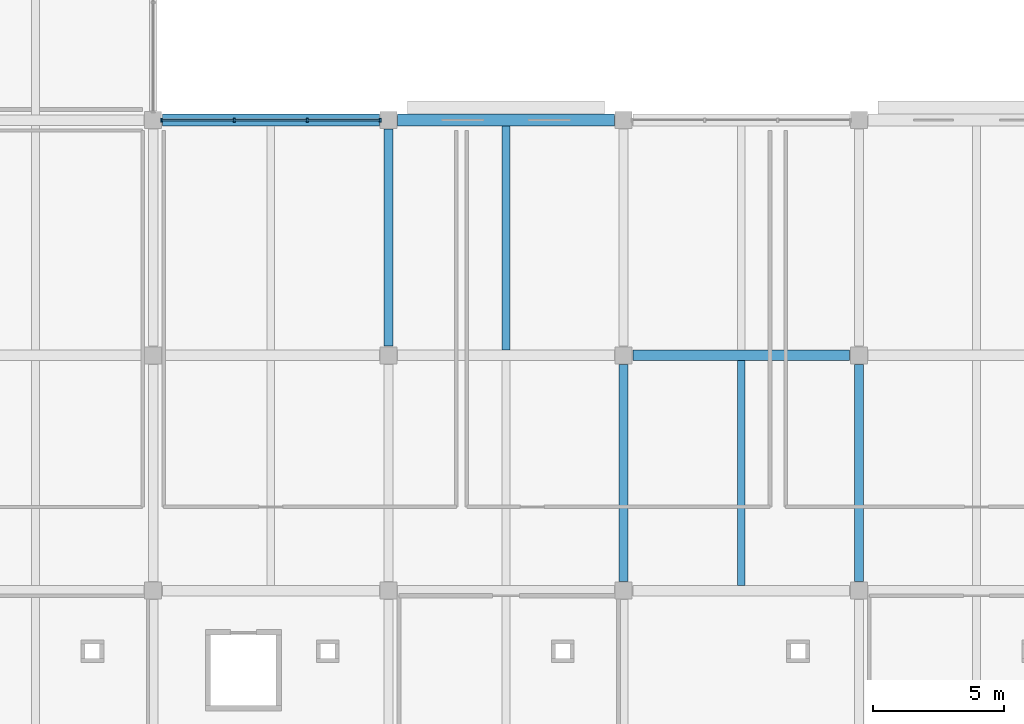
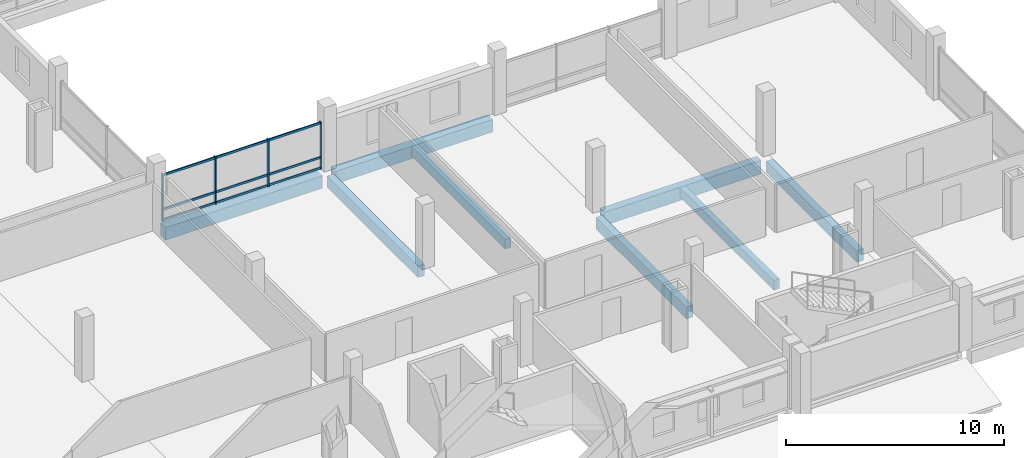
# One storey, part 41 of 132: 13 members, 8 beams, 1 element without a shape of its own.
"""IFC4 building model written with IfcOpenShell, lengths in metres."""

from ifc_helpers import new_model, si_unit, direction, frame, origin, origin_2d, place, context, subcontext, project, spatial, rectangle, extrude, material, material_profile, profile_set, type_object, element, aggregate, save


model = new_model("IFC4")

# Units and contexts
model_context = context("Model", 3, precision=1e-05, world=origin(), true_north=direction((0.0, 1.0)))
body_context = subcontext(model_context, "Body", "Model", "MODEL_VIEW")
ifc_project = project(units=[si_unit("LENGTHUNIT", "METRE"), si_unit("AREAUNIT", "SQUARE_METRE"), si_unit("VOLUMEUNIT", "CUBIC_METRE"), si_unit("PLANEANGLEUNIT", "RADIAN"), si_unit("MASSUNIT", "GRAM", prefix="KILO")], contexts=[model_context])

# Site, building, storey
site_placement = place(None, origin())
site = spatial("IfcSite", under=ifc_project, at=site_placement, CompositionType="ELEMENT")
building_placement = place(site_placement, origin())
building = spatial("IfcBuilding", under=site, at=building_placement, Name="Tharagai Park Tramway Depot", CompositionType="ELEMENT")
storey_placement = place(building_placement, frame((0.0, 0.0, 4.800048828125)))
storey = spatial("IfcBuildingStorey", under=building, at=storey_placement, Name="L01", CompositionType="ELEMENT", Elevation=4.800048828125)

# Beams
ifc_material_1 = material(Name="Concrete M35", Category="concrete")
ifc_material_profile_1 = material_profile(ifc_material_1, rectangle(XDim=0.35009765625, YDim=0.64990234375, at=origin_2d()), Name="RC 350x650")
ifc_profile_set_1 = profile_set([ifc_material_profile_1], Name="Concrete M35")
beam_type_1 = type_object("IfcBeamType", Name="BM-13", PredefinedType="BEAM", material=ifc_profile_set_1)
for number, where, z_axis, x_axis, name in (
    (1, (72.0, 18.35009765625, -0.574951171875), (0.0, 1.0, 0.0), (-1.0, 0.0, 0.0), "L01 Grid Beam BM-13"),
    (2, (81.0, 9.35009765625, -0.574951171875), (0.0, 1.0, 0.0), (-1.0, 0.0, 0.0), "L01 Grid Beam BM-13"),
    (3, (90.0, 9.35009765625, -0.574951171875), (0.0, 1.0, 0.0), (-1.0, 0.0, 0.0), "L01 Grid Beam BM-13"),
):
    element("IfcBeam", number, at=place(storey_placement, frame(where, z_axis=z_axis, x_axis=x_axis)), inside=storey, type_object=beam_type_1, Name=name, PredefinedType="BEAM", context=body_context, shape_type="SweptSolid", body=[
        extrude(rectangle(XDim=0.35009765625, YDim=0.64990234375, at=origin_2d()), origin(), (0.0, 0.0, 1.0), 8.2998046875),
    ])
ifc_material_profile_2 = material_profile(ifc_material_1, rectangle(XDim=0.39990234375, YDim=0.75, at=origin_2d()), Name="RC 400x750")
ifc_profile_set_2 = profile_set([ifc_material_profile_2], Name="Concrete M35")
beam_type_2 = type_object("IfcBeamType", Name="BM-19", PredefinedType="BEAM", material=ifc_profile_set_2)
beam_1_placement = place(storey_placement, frame((81.35009765625, 18.0, -0.625), z_axis=(1.0, 0.0, 0.0), x_axis=(0.0, 1.0, 0.0)))
element("IfcBeam", 4, at=beam_1_placement, inside=storey, type_object=beam_type_2, Name="L01 Grid Beam BM-19", PredefinedType="BEAM", context=body_context, shape_type="SweptSolid", body=[
    extrude(rectangle(XDim=0.39990234375, YDim=0.75, at=origin_2d()), origin(), (0.0, 0.0, 1.0), 8.2998046875),
])

# Curtain wall, members
ifc_material_2 = material(Name="Anodised aluminium", Category="aluminium")
curtain_wall_type = type_object("IfcCurtainWallType", Name="CW-01", PredefinedType="NOTDEFINED", material=ifc_material_2)
curtain_wall_placement = place(storey_placement, origin())
curtain_wall = element("IfcCurtainWall", 5, at=curtain_wall_placement, inside=storey, type_object=curtain_wall_type, Name="L01 V4 Gothic Mullioned Curtain Wall CW-01", PredefinedType="NOTDEFINED")
ifc_material_profile_3 = material_profile(ifc_material_2, rectangle(XDim=0.06494140625, YDim=0.1201171875, at=origin_2d()), Name="ALU 65x120")
ifc_profile_set_3 = profile_set([ifc_material_profile_3], Name="Anodised aluminium")
member_type_1 = type_object("IfcMemberType", Name="CM-01", PredefinedType="USERDEFINED", material=ifc_profile_set_3)
member_1_placement = place(storey_placement, frame((63.330078125, 27.0, 0.06005859375), z_axis=(1.0, 0.0, 0.0), x_axis=(0.0, 1.0, 0.0)))
member_1 = element("IfcMember", 6, at=member_1_placement, type_object=member_type_1, Name="L01 V4 Gothic Mullioned Curtain Wall Transom 1.1", ObjectType="TRANSOM", PredefinedType="USERDEFINED", context=body_context, shape_type="SweptSolid", body=[
    extrude(rectangle(XDim=0.06494140625, YDim=0.1201171875, at=origin_2d()), origin(), (0.0, 0.0, 1.0), 2.760009765625),
])
member_2_placement = place(storey_placement, frame((63.330078125, 27.0, 0.64990234375), z_axis=(1.0, 0.0, 0.0), x_axis=(0.0, 1.0, 0.0)))
member_2 = element("IfcMember", 7, at=member_2_placement, type_object=member_type_1, Name="L01 V4 Gothic Mullioned Curtain Wall Transom 1.2", ObjectType="TRANSOM", PredefinedType="USERDEFINED", context=body_context, shape_type="SweptSolid", body=[
    extrude(rectangle(XDim=0.06494140625, YDim=0.1201171875, at=origin_2d()), origin(), (0.0, 0.0, 1.0), 2.760009765625),
])
member_3_placement = place(storey_placement, frame((63.330078125, 27.0, 2.570068359375), z_axis=(1.0, 0.0, 0.0), x_axis=(0.0, 1.0, 0.0)))
member_3 = element("IfcMember", 8, at=member_3_placement, type_object=member_type_1, Name="L01 V4 Gothic Mullioned Curtain Wall Transom 1.3", ObjectType="TRANSOM", PredefinedType="USERDEFINED", context=body_context, shape_type="SweptSolid", body=[
    extrude(rectangle(XDim=0.06494140625, YDim=0.1201171875, at=origin_2d()), origin(), (0.0, 0.0, 1.0), 2.760009765625),
])
member_4_placement = place(storey_placement, frame((66.1201171875, 27.0, 0.06005859375), z_axis=(1.0, 0.0, 0.0), x_axis=(0.0, 1.0, 0.0)))
member_4 = element("IfcMember", 9, at=member_4_placement, type_object=member_type_1, Name="L01 V4 Gothic Mullioned Curtain Wall Transom 2.1", ObjectType="TRANSOM", PredefinedType="USERDEFINED", context=body_context, shape_type="SweptSolid", body=[
    extrude(rectangle(XDim=0.06494140625, YDim=0.1201171875, at=origin_2d()), origin(), (0.0, 0.0, 1.0), 2.759765625),
])
member_5_placement = place(storey_placement, frame((66.1201171875, 27.0, 0.64990234375), z_axis=(1.0, 0.0, 0.0), x_axis=(0.0, 1.0, 0.0)))
member_5 = element("IfcMember", 10, at=member_5_placement, type_object=member_type_1, Name="L01 V4 Gothic Mullioned Curtain Wall Transom 2.2", ObjectType="TRANSOM", PredefinedType="USERDEFINED", context=body_context, shape_type="SweptSolid", body=[
    extrude(rectangle(XDim=0.06494140625, YDim=0.1201171875, at=origin_2d()), origin(), (0.0, 0.0, 1.0), 2.759765625),
])
member_6_placement = place(storey_placement, frame((66.1201171875, 27.0, 2.570068359375), z_axis=(1.0, 0.0, 0.0), x_axis=(0.0, 1.0, 0.0)))
member_6 = element("IfcMember", 11, at=member_6_placement, type_object=member_type_1, Name="L01 V4 Gothic Mullioned Curtain Wall Transom 2.3", ObjectType="TRANSOM", PredefinedType="USERDEFINED", context=body_context, shape_type="SweptSolid", body=[
    extrude(rectangle(XDim=0.06494140625, YDim=0.1201171875, at=origin_2d()), origin(), (0.0, 0.0, 1.0), 2.759765625),
])
member_7_placement = place(storey_placement, frame((68.909912109375, 27.0, 0.06005859375), z_axis=(1.0, 0.0, 0.0), x_axis=(0.0, 1.0, 0.0)))
member_7 = element("IfcMember", 12, at=member_7_placement, type_object=member_type_1, Name="L01 V4 Gothic Mullioned Curtain Wall Transom 3.1", ObjectType="TRANSOM", PredefinedType="USERDEFINED", context=body_context, shape_type="SweptSolid", body=[
    extrude(rectangle(XDim=0.06494140625, YDim=0.1201171875, at=origin_2d()), origin(), (0.0, 0.0, 1.0), 2.760009765625),
])
member_8_placement = place(storey_placement, frame((68.909912109375, 27.0, 0.64990234375), z_axis=(1.0, 0.0, 0.0), x_axis=(0.0, 1.0, 0.0)))
member_8 = element("IfcMember", 13, at=member_8_placement, type_object=member_type_1, Name="L01 V4 Gothic Mullioned Curtain Wall Transom 3.2", ObjectType="TRANSOM", PredefinedType="USERDEFINED", context=body_context, shape_type="SweptSolid", body=[
    extrude(rectangle(XDim=0.06494140625, YDim=0.1201171875, at=origin_2d()), origin(), (0.0, 0.0, 1.0), 2.760009765625),
])
member_9_placement = place(storey_placement, frame((68.909912109375, 27.0, 2.570068359375), z_axis=(1.0, 0.0, 0.0), x_axis=(0.0, 1.0, 0.0)))
member_9 = element("IfcMember", 14, at=member_9_placement, type_object=member_type_1, Name="L01 V4 Gothic Mullioned Curtain Wall Transom 3.3", ObjectType="TRANSOM", PredefinedType="USERDEFINED", context=body_context, shape_type="SweptSolid", body=[
    extrude(rectangle(XDim=0.06494140625, YDim=0.1201171875, at=origin_2d()), origin(), (0.0, 0.0, 1.0), 2.760009765625),
])
ifc_material_profile_4 = material_profile(ifc_material_2, rectangle(XDim=0.06494140625, YDim=0.14990234375, at=origin_2d()), Name="ALU 65x150")
ifc_profile_set_4 = profile_set([ifc_material_profile_4], Name="Anodised aluminium")
member_type_2 = type_object("IfcMemberType", Name="CM-03", PredefinedType="MULLION", material=ifc_profile_set_4)
member_10_placement = place(storey_placement, frame((63.31494140625, 27.0, -0.005126953125), z_axis=(0.0, 0.0, 1.0), x_axis=(1.0, 0.0, 0.0)))
member_10 = element("IfcMember", 15, at=member_10_placement, type_object=member_type_2, Name="L01 V4 Gothic Mullioned Curtain Wall Mullion 1", PredefinedType="MULLION", context=body_context, shape_type="SweptSolid", body=[
    extrude(rectangle(XDim=0.06494140625, YDim=0.14990234375, at=origin_2d()), origin(), (0.0, 0.0, 1.0), 2.66015625),
])
member_11_placement = place(storey_placement, frame((66.10498046875, 27.0, -0.005126953125), z_axis=(0.0, 0.0, 1.0), x_axis=(1.0, 0.0, 0.0)))
member_11 = element("IfcMember", 16, at=member_11_placement, type_object=member_type_2, Name="L01 V4 Gothic Mullioned Curtain Wall Mullion 2", PredefinedType="MULLION", context=body_context, shape_type="SweptSolid", body=[
    extrude(rectangle(XDim=0.06494140625, YDim=0.14990234375, at=origin_2d()), origin(), (0.0, 0.0, 1.0), 2.66015625),
])
member_12_placement = place(storey_placement, frame((68.89501953125, 27.0, -0.005126953125), z_axis=(0.0, 0.0, 1.0), x_axis=(1.0, 0.0, 0.0)))
member_12 = element("IfcMember", 17, at=member_12_placement, type_object=member_type_2, Name="L01 V4 Gothic Mullioned Curtain Wall Mullion 3", PredefinedType="MULLION", context=body_context, shape_type="SweptSolid", body=[
    extrude(rectangle(XDim=0.06494140625, YDim=0.14990234375, at=origin_2d()), origin(), (0.0, 0.0, 1.0), 2.66015625),
])
member_13_placement = place(storey_placement, frame((71.68505859375, 27.0, -0.005126953125), z_axis=(0.0, 0.0, 1.0), x_axis=(1.0, 0.0, 0.0)))
member_13 = element("IfcMember", 18, at=member_13_placement, type_object=member_type_2, Name="L01 V4 Gothic Mullioned Curtain Wall Mullion 4", PredefinedType="MULLION", context=body_context, shape_type="SweptSolid", body=[
    extrude(rectangle(XDim=0.06494140625, YDim=0.14990234375, at=origin_2d()), origin(), (0.0, 0.0, 1.0), 2.66015625),
])
aggregate(curtain_wall, [member_10, member_11, member_12, member_13, member_1, member_2, member_3, member_4, member_5, member_6, member_7, member_8, member_9])

# Beams
ifc_material_profile_5 = material_profile(ifc_material_1, rectangle(XDim=0.300048828125, YDim=0.550048828125, at=origin_2d()), Name="RC 300x550")
ifc_profile_set_5 = profile_set([ifc_material_profile_5], Name="Concrete M35")
beam_type_3 = type_object("IfcBeamType", Name="JT-06", PredefinedType="JOIST", material=ifc_profile_set_5)
beam_2_placement = place(storey_placement, frame((76.5, 18.199951171875, -0.525146484375), z_axis=(0.0, 1.0, 0.0), x_axis=(-1.0, 0.0, 0.0)))
element("IfcBeam", 19, at=beam_2_placement, inside=storey, type_object=beam_type_3, Name="L01 Secondary Joist JT-06", PredefinedType="JOIST", context=body_context, shape_type="SweptSolid", body=[
    extrude(rectangle(XDim=0.300048828125, YDim=0.550048828125, at=origin_2d()), origin(), (0.0, 0.0, 1.0), 8.574951171875),
])
beam_3_placement = place(storey_placement, frame((85.5, 9.199951171875, -0.525146484375), z_axis=(0.0, 1.0, 0.0), x_axis=(-1.0, 0.0, 0.0)))
element("IfcBeam", 20, at=beam_3_placement, inside=storey, type_object=beam_type_3, Name="L01 Secondary Joist JT-06", PredefinedType="JOIST", context=body_context, shape_type="SweptSolid", body=[
    extrude(rectangle(XDim=0.300048828125, YDim=0.550048828125, at=origin_2d()), origin(), (0.0, 0.0, 1.0), 8.60009765625),
])
ifc_material_profile_6 = material_profile(ifc_material_1, rectangle(XDim=0.449951171875, YDim=0.699951171875, at=origin_2d()), Name="RC 450x700")
ifc_profile_set_6 = profile_set([ifc_material_profile_6], Name="Concrete M35")
beam_type_4 = type_object("IfcBeamType", Name="SP-01", PredefinedType="SPANDREL", material=ifc_profile_set_6)
for number, where, z_axis, x_axis, name in (
    (21, (63.35009765625, 27.0, -0.60009765625), (1.0, 0.0, 0.0), (0.0, 1.0, 0.0), "L01 Grid Beam SP-01"),
    (22, (72.35009765625, 27.0, -0.60009765625), (1.0, 0.0, 0.0), (0.0, 1.0, 0.0), "L01 Grid Beam SP-01"),
):
    element("IfcBeam", number, at=place(storey_placement, frame(where, z_axis=z_axis, x_axis=x_axis)), inside=storey, type_object=beam_type_4, Name=name, PredefinedType="SPANDREL", context=body_context, shape_type="SweptSolid", body=[
        extrude(rectangle(XDim=0.449951171875, YDim=0.699951171875, at=origin_2d()), origin(), (0.0, 0.0, 1.0), 8.2998046875),
    ])

save(model, "model.ifc")
